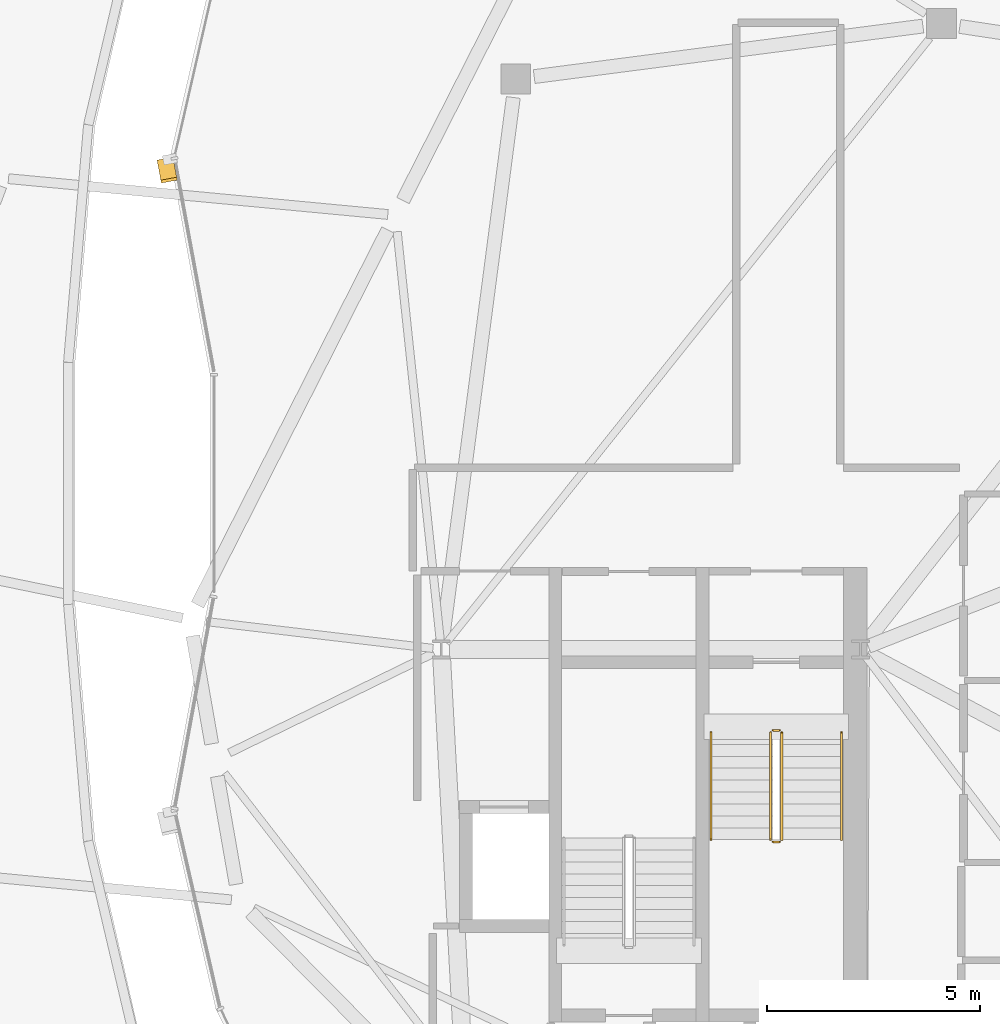
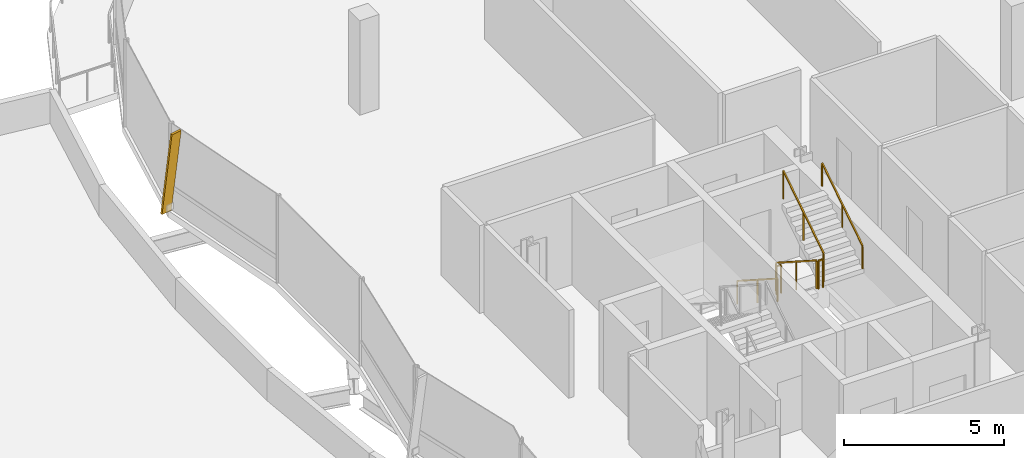
# One storey, part 30 of 31: 6 railings, 1 shading device.
"""IFC4 building model written with IfcOpenShell, lengths in metres."""

from ifc_helpers import new_model, si_unit, direction, frame, origin, origin_2d, place, context, subcontext, project, spatial, rectangle, extrude, material, material_profile, profile_set, type_object, element, save


model = new_model("IFC4")

# Units and contexts
model_context = context("Model", 3, precision=1e-05, world=origin(), true_north=direction((0.0, 1.0)))
body_context = subcontext(model_context, "Body", "Model", "MODEL_VIEW")
ifc_project = project(units=[si_unit("LENGTHUNIT", "METRE"), si_unit("AREAUNIT", "SQUARE_METRE"), si_unit("VOLUMEUNIT", "CUBIC_METRE"), si_unit("PLANEANGLEUNIT", "RADIAN"), si_unit("MASSUNIT", "GRAM", prefix="KILO"), si_unit("THERMODYNAMICTEMPERATUREUNIT", "KELVIN"), si_unit("POWERUNIT", "WATT")], contexts=[model_context])

# Site, building, storey
site_placement = place(None, origin())
site = spatial("IfcSite", under=ifc_project, at=site_placement, CompositionType="ELEMENT")
building_placement = place(site_placement, origin())
building = spatial("IfcBuilding", under=site, at=building_placement, Name="Cundina Bronze Exchange", CompositionType="ELEMENT")
storey_placement = place(building_placement, frame((0.0, 0.0, 275.60009765625)))
storey = spatial("IfcBuildingStorey", under=building, at=storey_placement, Name="L73", CompositionType="ELEMENT", Elevation=275.60009765625)

# Railings
ifc_material_1 = material(Name="Steel ASTM A36 Painted", Category="steel")
railing_type_1 = type_object("IfcRailingType", Name="RLG-HND-900", PredefinedType="HANDRAIL", material=ifc_material_1)
railing_1_placement = place(storey_placement, frame((27.7900390625, -5.85009765625, 0.179931640625)))
element("IfcRailing", 1, at=railing_1_placement, inside=storey, type_object=railing_type_1, Name="L73 ST-E1 stair handrail 1", PredefinedType="HANDRAIL", context=body_context, shape_type="SweptSolid", body=[
    extrude(rectangle(XDim=0.048095703125, YDim=0.048095703125, at=origin_2d()), frame((0.0, 0.0, 0.8759765625), z_axis=(0.0, -0.841199657755, 0.540724639528), x_axis=(1.0, 0.0, 0.0)), (0.0, 0.0, 1.0), 2.995849609375),
    extrude(rectangle(XDim=0.0419921875, YDim=0.0419921875, at=origin_2d()), origin(), (0.0, 0.0, 1.0), 0.851806640625),
    extrude(rectangle(XDim=0.0419921875, YDim=0.0419921875, at=origin_2d()), frame((0.0, -1.260009765625, 0.81005859375)), (0.0, 0.0, 1.0), 0.851806640625),
    extrude(rectangle(XDim=0.0419921875, YDim=0.0419921875, at=origin_2d()), frame((0.0, -2.52001953125, 1.619873046875)), (0.0, 0.0, 1.0), 0.851806640625),
])
railing_2_placement = place(storey_placement, frame((30.85009765625, -8.3701171875, 1.97998046875)))
element("IfcRailing", 2, at=railing_2_placement, inside=storey, type_object=railing_type_1, Name="L73 ST-E1 stair handrail 2", PredefinedType="HANDRAIL", context=body_context, shape_type="SweptSolid", body=[
    extrude(rectangle(XDim=0.048095703125, YDim=0.048095703125, at=origin_2d()), frame((0.0, 0.0, 0.8759765625), z_axis=(0.0, 0.841199657755, 0.540724639528), x_axis=(-1.0, 0.0, 0.0)), (0.0, 0.0, 1.0), 2.995849609375),
    extrude(rectangle(XDim=0.0419921875, YDim=0.0419921875, at=origin_2d()), origin(), (0.0, 0.0, 1.0), 0.851806640625),
    extrude(rectangle(XDim=0.0419921875, YDim=0.0419921875, at=origin_2d()), frame((0.0, 1.260009765625, 0.81005859375)), (0.0, 0.0, 1.0), 0.851806640625),
    extrude(rectangle(XDim=0.0419921875, YDim=0.0419921875, at=origin_2d()), frame((0.0, 2.52001953125, 1.619873046875)), (0.0, 0.0, 1.0), 0.851806640625),
])
railing_type_2 = type_object("IfcRailingType", Name="RLG-STG-1100", PredefinedType="GUARDRAIL", material=ifc_material_1)
railing_3_placement = place(storey_placement, frame((29.18994140625, -5.85009765625, 0.179931640625)))
element("IfcRailing", 3, at=railing_3_placement, inside=storey, type_object=railing_type_2, Name="L73 ST-E1 stair guard 1", PredefinedType="GUARDRAIL", context=body_context, shape_type="SweptSolid", body=[
    extrude(rectangle(XDim=0.048095703125, YDim=0.048095703125, at=origin_2d()), frame((0.0, 0.0, 1.076171875), z_axis=(0.0, -0.841199657755, 0.540724639528), x_axis=(1.0, 0.0, 0.0)), (0.0, 0.0, 1.0), 2.995849609375),
    extrude(rectangle(XDim=0.0419921875, YDim=0.0419921875, at=origin_2d()), origin(), (0.0, 0.0, 1.0), 1.052001953125),
    extrude(rectangle(XDim=0.0419921875, YDim=0.0419921875, at=origin_2d()), frame((0.0, -1.260009765625, 0.81005859375)), (0.0, 0.0, 1.0), 1.052001953125),
    extrude(rectangle(XDim=0.0419921875, YDim=0.0419921875, at=origin_2d()), frame((0.0, -2.52001953125, 1.619873046875)), (0.0, 0.0, 1.0), 1.052001953125),
])
railing_4_placement = place(storey_placement, frame((29.239990234375, -8.419921875, 1.7998046875)))
element("IfcRailing", 4, at=railing_4_placement, inside=storey, type_object=railing_type_2, Name="L73 ST-E1 stair guard 2", PredefinedType="GUARDRAIL", context=body_context, shape_type="SweptSolid", body=[
    extrude(rectangle(XDim=0.048095703125, YDim=0.048095703125, at=origin_2d()), frame((0.0, 0.0, 1.076171875), z_axis=(1.0, 0.0, 0.0), x_axis=(0.0, 1.0, 0.0)), (0.0, 0.0, 1.0), 0.159912109375),
    extrude(rectangle(XDim=0.0419921875, YDim=0.0419921875, at=origin_2d()), origin(), (0.0, 0.0, 1.0), 1.052001953125),
    extrude(rectangle(XDim=0.0419921875, YDim=0.0419921875, at=origin_2d()), frame((0.159912109375, 0.0, 0.0)), (0.0, 0.0, 1.0), 1.052001953125),
])
railing_5_placement = place(storey_placement, frame((29.449951171875, -8.3701171875, 1.97998046875)))
element("IfcRailing", 5, at=railing_5_placement, inside=storey, type_object=railing_type_2, Name="L73 ST-E1 stair guard 3", PredefinedType="GUARDRAIL", context=body_context, shape_type="SweptSolid", body=[
    extrude(rectangle(XDim=0.048095703125, YDim=0.048095703125, at=origin_2d()), frame((0.0, 0.0, 1.076171875), z_axis=(0.0, 0.841199657755, 0.540724639528), x_axis=(-1.0, 0.0, 0.0)), (0.0, 0.0, 1.0), 2.995849609375),
    extrude(rectangle(XDim=0.0419921875, YDim=0.0419921875, at=origin_2d()), origin(), (0.0, 0.0, 1.0), 1.052001953125),
    extrude(rectangle(XDim=0.0419921875, YDim=0.0419921875, at=origin_2d()), frame((0.0, 1.260009765625, 0.81005859375)), (0.0, 0.0, 1.0), 1.052001953125),
    extrude(rectangle(XDim=0.0419921875, YDim=0.0419921875, at=origin_2d()), frame((0.0, 2.52001953125, 1.619873046875)), (0.0, 0.0, 1.0), 1.052001953125),
])
railing_6_placement = place(storey_placement, frame((29.239990234375, -5.800048828125, 0.0)))
element("IfcRailing", 6, at=railing_6_placement, inside=storey, type_object=railing_type_2, Name="L73 ST-E1 stair guard 4", PredefinedType="GUARDRAIL", context=body_context, shape_type="SweptSolid", body=[
    extrude(rectangle(XDim=0.048095703125, YDim=0.048095703125, at=origin_2d()), frame((0.0, 0.0, 1.076171875), z_axis=(1.0, 0.0, 0.0), x_axis=(0.0, 1.0, 0.0)), (0.0, 0.0, 1.0), 0.159912109375),
    extrude(rectangle(XDim=0.0419921875, YDim=0.0419921875, at=origin_2d()), origin(), (0.0, 0.0, 1.0), 1.052001953125),
    extrude(rectangle(XDim=0.0419921875, YDim=0.0419921875, at=origin_2d()), frame((0.159912109375, 0.0, 0.0)), (0.0, 0.0, 1.0), 1.052001953125),
])

# Shading device
ifc_material_2 = material(Name="Anodised Bronze Aluminium 6063-T6", Category="aluminium")
ifc_material_profile = material_profile(ifc_material_2, rectangle(XDim=0.070068359375, YDim=0.3798828125, at=origin_2d()), Name="FIN70X380", Category="aluminium")
ifc_profile_set = profile_set([ifc_material_profile], Name="Anodised Bronze Aluminium 6063-T6")
shading_device_type = type_object("IfcShadingDeviceType", Name="SHD-FIN-BRZ380", PredefinedType="USERDEFINED", material=ifc_profile_set)
shading_device_placement = place(storey_placement, frame((14.96826171875, 7.595458984375, 0.02001953125), z_axis=(0.026138160459, -0.141526790384, 0.989589290651), x_axis=(-0.179724849339, 0.973132027374, 0.143920241205)))
element("IfcShadingDevice", 7, at=shading_device_placement, inside=storey, type_object=shading_device_type, Name="L73 Diagonal Bronze Solar Fin 5", ObjectType="FIN", PredefinedType="USERDEFINED", context=body_context, shape_type="SweptSolid", body=[
    extrude(rectangle(XDim=0.070068359375, YDim=0.3798828125, at=origin_2d()), origin(), (0.0, 0.0, 1.0), 3.33447265625),
])

save(model, "model.ifc")
